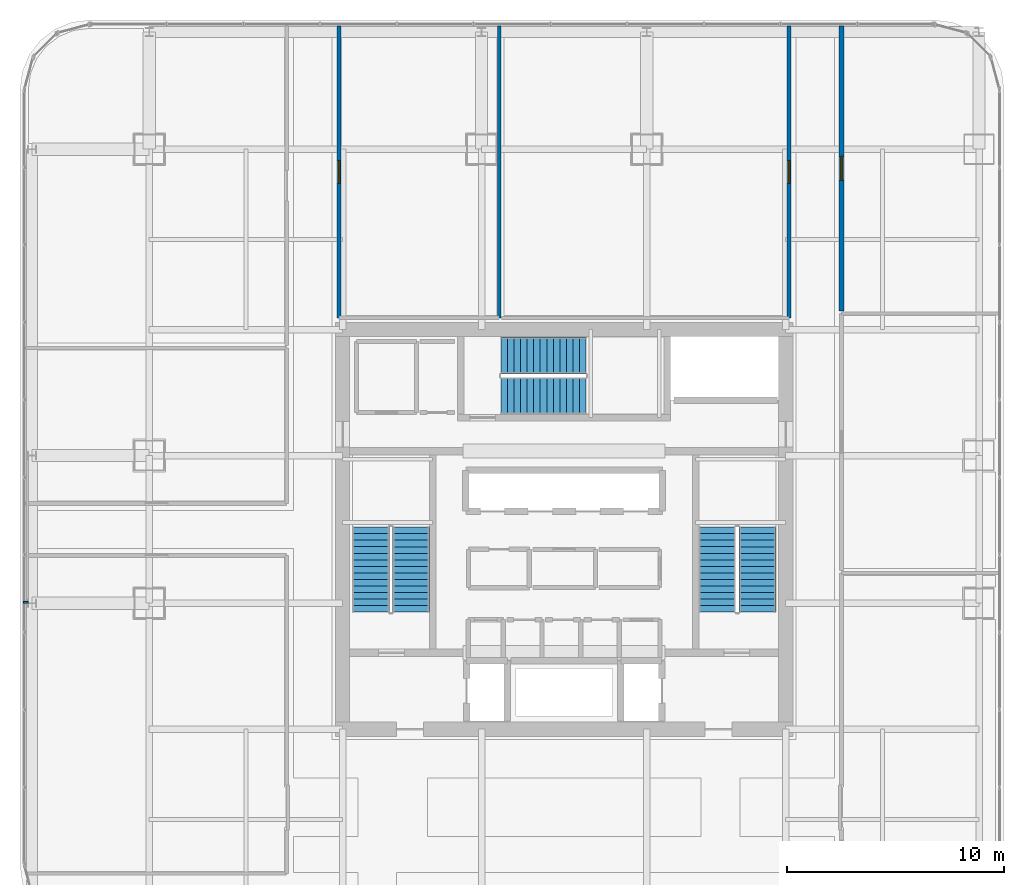
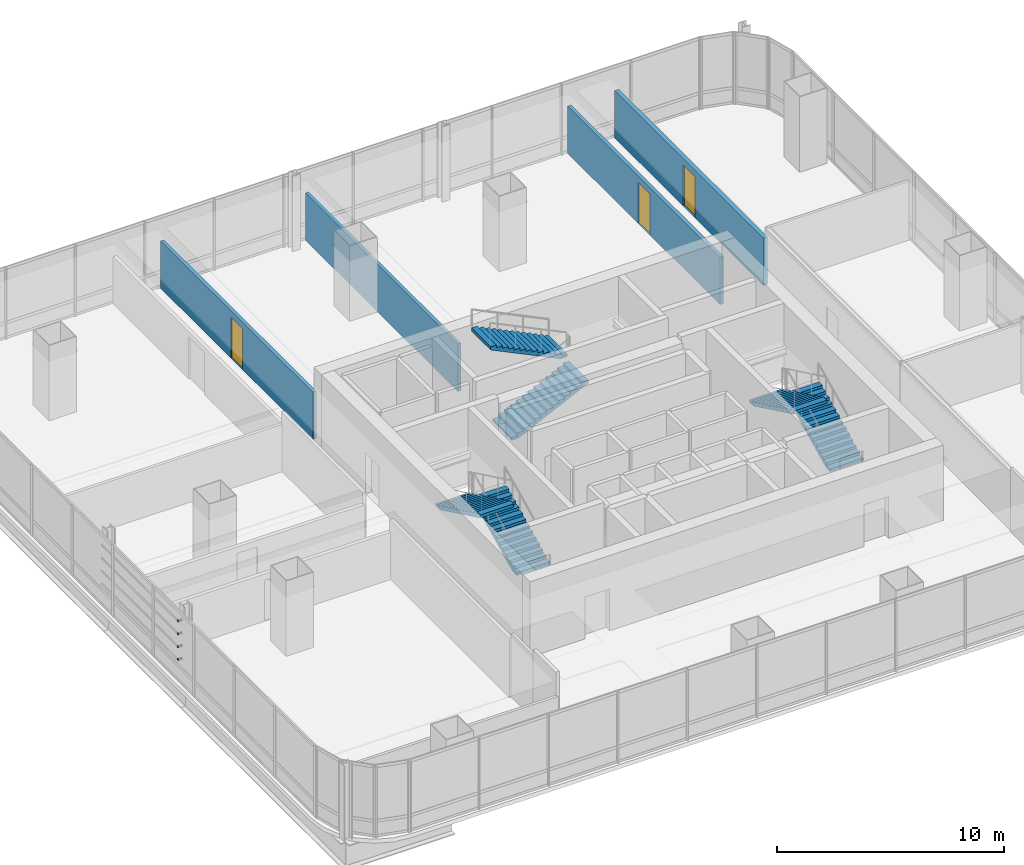
# One storey, part 32 of 38: 6 stair flights, 4 discrete accessories, 4 walls, 3 doors, 3 openings, 3 elements without a shape of their own.
"""IFC4 building model written with IfcOpenShell, lengths in metres."""

import ifcopenshell
import ifcopenshell.guid

model = None  # the IFC model being written
_history = None  # IfcOwnerHistory: only IFC2X3 demands one
_inside = {}  # id of a spatial element -> (the spatial element, [elements in it])
_under = {}  # id of a project, library or spatial element -> (it, [spatial elements below it])
_declared = {}  # id of a project -> (the project, [libraries it declares])
_typed = {}  # id of a type object -> (the type object, [elements of that type])
_made_of = {}  # id of a material, layer set ... -> (it, [elements and type objects made of it])


def new_model(schema):
    """Start an empty IFC model of exactly this schema.

    Asked for "IFC4X3", IfcOpenShell would pick the latest addendum, in which some entities
    have other attributes; the version numbers below select the first issue.
    IFC2X3 requires an IfcOwnerHistory on every rooted entity: one is made here for all.
    """
    global model, _history
    if schema == "IFC4X3":
        model = ifcopenshell.file(schema_version=(4, 3, 0, 0))
    else:
        model = ifcopenshell.file(schema=schema)
    _inside.clear()
    _under.clear()
    _declared.clear()
    _typed.clear()
    _made_of.clear()
    _history = None
    if model.schema == "IFC2X3":
        org = make("IfcOrganization", Name="unknown")
        user = make(
            "IfcPersonAndOrganization",
            ThePerson=make("IfcPerson", FamilyName="unknown"),
            TheOrganization=org,
        )
        app = make(
            "IfcApplication",
            ApplicationDeveloper=org,
            Version="unknown",
            ApplicationFullName="unknown",
            ApplicationIdentifier="unknown",
        )
        _history = make(
            "IfcOwnerHistory",
            OwningUser=user,
            OwningApplication=app,
            ChangeAction="ADDED",
            CreationDate=0,
        )
    return model


def make(cls, **values):
    """One entity of the class cls with the attributes given. An attribute that is None is left unset."""
    return model.create_entity(
        cls, **{name: value for name, value in values.items() if value is not None}
    )


def rooted(cls, **values):
    """An entity with a GlobalId (a new one), such as an element, a storey or a relation."""
    return make(cls, GlobalId=ifcopenshell.guid.new(), OwnerHistory=_history, **values)


def si_unit(unit_type, name, prefix=None):
    """IfcSIUnit, for example si_unit("LENGTHUNIT", "METRE", prefix="MILLI")."""
    return make("IfcSIUnit", UnitType=unit_type, Prefix=prefix, Name=name)


def assignment(units):
    """IfcUnitAssignment: the units of a project."""
    return None if units is None else make("IfcUnitAssignment", Units=units)


def point(xyz):
    """IfcCartesianPoint."""
    return None if xyz is None else make("IfcCartesianPoint", Coordinates=xyz)


def direction(xyz):
    """IfcDirection."""
    return None if xyz is None else make("IfcDirection", DirectionRatios=xyz)


def frame(location, z_axis=None, x_axis=None):
    """IfcAxis2Placement3D, a coordinate frame: its origin and axes. An axis left out is left unset."""
    return make(
        "IfcAxis2Placement3D",
        Location=point(location),
        Axis=direction(z_axis),
        RefDirection=direction(x_axis),
    )


def frame_2d(location, x_axis=None):
    """IfcAxis2Placement2D, a coordinate frame in the plane: its origin and x axis."""
    return make(
        "IfcAxis2Placement2D", Location=point(location), RefDirection=direction(x_axis)
    )


def origin():
    """The frame at (0, 0, 0) with its axes left unset."""
    return frame((0.0, 0.0, 0.0))


def origin_2d():
    """The frame at (0, 0) in the plane with its x axis left unset."""
    return frame_2d((0.0, 0.0))


def place(relative_to, where):
    """IfcLocalPlacement: puts the frame where relative to a parent placement (None: the world)."""
    return make(
        "IfcLocalPlacement", PlacementRelTo=relative_to, RelativePlacement=where
    )


def context(
    kind, dimensions, precision=None, world=None, true_north=None, identifier=None
):
    """IfcGeometricRepresentationContext, for example the 3D "Model" context."""
    return make(
        "IfcGeometricRepresentationContext",
        ContextIdentifier=identifier,
        ContextType=kind,
        CoordinateSpaceDimension=dimensions,
        Precision=precision,
        WorldCoordinateSystem=world,
        TrueNorth=true_north,
    )


def subcontext(parent, identifier, kind, view, scale=None):
    """IfcGeometricRepresentationSubContext, for example "Body" below "Model"."""
    return make(
        "IfcGeometricRepresentationSubContext",
        ContextIdentifier=identifier,
        ContextType=kind,
        ParentContext=parent,
        TargetScale=scale,
        TargetView=view,
    )


def project(units=None, contexts=None):
    """IfcProject with its units and contexts."""
    return rooted(
        "IfcProject",
        Name="project",
        RepresentationContexts=contexts,
        UnitsInContext=assignment(units),
    )


def spatial(cls, under=None, at=None, **own):
    """A site, building, storey or space (cls), placed at a placement, below another one or the project."""
    s = rooted(cls, ObjectPlacement=at, **own)
    if under is not None:
        _under.setdefault(under.id(), (under, []))[1].append(s)
    return s


def polyline(points):
    """IfcPolyline through the points."""
    return make("IfcPolyline", Points=[point(p) for p in points])


def profile(cls, at=None, kind="AREA", **sizes):
    """A parametric profile (cls). Its sizes go by their IFC names, for example OverallWidth=200.0."""
    return make(cls, ProfileType=kind, Position=at, **sizes)


def rectangle(**sizes):
    """IfcRectangleProfileDef."""
    return profile("IfcRectangleProfileDef", **sizes)


def outline(outer, holes=None, kind="AREA"):
    """IfcArbitraryClosedProfileDef: a profile drawn as a closed curve; with holes, ...WithVoids."""
    if holes is None:
        return make("IfcArbitraryClosedProfileDef", ProfileType=kind, OuterCurve=outer)
    return make(
        "IfcArbitraryProfileDefWithVoids",
        ProfileType=kind,
        OuterCurve=outer,
        InnerCurves=holes,
    )


def extrude(swept, where, along, depth):
    """IfcExtrudedAreaSolid: the profile swept, set in the frame where, extruded along a direction by depth."""
    return make(
        "IfcExtrudedAreaSolid",
        SweptArea=swept,
        Position=where,
        ExtrudedDirection=direction(along),
        Depth=depth,
    )


def shape(context_of_items, identifier, shape_type, items):
    """IfcShapeRepresentation: the items that make up one representation, for example the "Body"."""
    return make(
        "IfcShapeRepresentation",
        ContextOfItems=context_of_items,
        RepresentationIdentifier=identifier,
        RepresentationType=shape_type,
        Items=items,
    )


def material(Name=None, Category=None):
    """IfcMaterial."""
    return make("IfcMaterial", Name=Name, Category=Category)


def layer(
    of_material, thickness, ventilated=None, Name=None, Category=None, Priority=None
):
    """IfcMaterialLayer: one layer of a wall or slab, of a material (None: an air gap)."""
    return make(
        "IfcMaterialLayer",
        Material=of_material,
        LayerThickness=thickness,
        IsVentilated=ventilated,
        Name=Name,
        Category=Category,
        Priority=Priority,
    )


def layer_set(layers, Name=None):
    """IfcMaterialLayerSet."""
    return make("IfcMaterialLayerSet", MaterialLayers=layers, LayerSetName=Name)


def made_of(thing, what):
    """Note that an element or type object is made of a material, layer set ...; save() writes the relation."""
    if what is not None:
        _made_of.setdefault(what.id(), (what, []))[1].append(thing)
    return thing


def type_object(cls, material=None, **own):
    """A type object (cls), such as IfcWallType, which elements share."""
    return made_of(rooted(cls, **own), material)


def element(
    cls,
    number,
    at=None,
    inside=None,
    cuts=None,
    type_object=None,
    material=None,
    context=None,
    identifier="Body",
    shape_type=None,
    held_by="IfcProductDefinitionShape",
    body=None,
    shapes=None,
    **own,
):
    """One element of the class cls, such as IfcWall. Its Tag is "e" and its number.

    at: its placement. inside: the storey or other place that contains it. cuts: it is an
    opening in that element (IfcRelVoidsElement). A single representation is given by context,
    identifier, shape_type and body (its items); several are given by shapes. held_by: the class
    of the entity that holds the representations. save() writes the other relations.
    """
    e = rooted(cls, Tag="e%d" % number, ObjectPlacement=at, **own)
    if body is not None:
        shapes = [shape(context, identifier, shape_type, body)]
    if shapes is not None:
        e.Representation = make(held_by, Representations=shapes)
    if inside is not None:
        _inside.setdefault(inside.id(), (inside, []))[1].append(e)
    if cuts is not None:
        rooted(
            "IfcRelVoidsElement", RelatingBuildingElement=cuts, RelatedOpeningElement=e
        )
    if type_object is not None:
        _typed.setdefault(type_object.id(), (type_object, []))[1].append(e)
    return made_of(e, material)


def fill(opening, filler):
    """IfcRelFillsElement: the door or window that sits in an opening."""
    return rooted(
        "IfcRelFillsElement",
        RelatingOpeningElement=opening,
        RelatedBuildingElement=filler,
    )


def aggregate(whole, parts):
    """IfcRelAggregates: a whole, such as a stair, and the parts it consists of."""
    return rooted("IfcRelAggregates", RelatingObject=whole, RelatedObjects=parts)


def save(model, path):
    """Write the relations noted so far, then the file.

    IfcRelAggregates (storeys below a building ...), IfcRelContainedInSpatialStructure (elements
    in a storey), IfcRelDefinesByType, IfcRelAssociatesMaterial and IfcRelDeclares: one each for
    every whole, place, type object, material and project.
    """
    for whole, parts in _under.values():
        aggregate(whole, parts)
    for where, things in _inside.values():
        rooted(
            "IfcRelContainedInSpatialStructure",
            RelatedElements=things,
            RelatingStructure=where,
        )
    for kind, things in _typed.values():
        rooted("IfcRelDefinesByType", RelatedObjects=things, RelatingType=kind)
    for what, things in _made_of.values():
        rooted("IfcRelAssociatesMaterial", RelatedObjects=things, RelatingMaterial=what)
    for by, libraries in _declared.values():
        rooted("IfcRelDeclares", RelatingContext=by, RelatedDefinitions=libraries)
    model.write(path)


model = new_model("IFC4")

# Units and contexts
model_context = context("Model", 3, precision=1e-05, world=origin(), true_north=direction((0.0, 1.0)))
body_context = subcontext(model_context, "Body", "Model", "MODEL_VIEW")
ifc_project = project(units=[si_unit("LENGTHUNIT", "METRE"), si_unit("AREAUNIT", "SQUARE_METRE"), si_unit("VOLUMEUNIT", "CUBIC_METRE"), si_unit("PLANEANGLEUNIT", "RADIAN"), si_unit("MASSUNIT", "GRAM", prefix="KILO")], contexts=[model_context])

# Site, building, storey
site_placement = place(None, origin())
site = spatial("IfcSite", under=ifc_project, at=site_placement, CompositionType="ELEMENT")
building_placement = place(site_placement, origin())
building = spatial("IfcBuilding", under=site, at=building_placement, Name="Punatoya Terracotta Tower", CompositionType="ELEMENT")
storey_placement = place(building_placement, frame((0.0, 0.0, 151.949951171875)))
storey = spatial("IfcBuildingStorey", under=building, at=storey_placement, Name="L35", CompositionType="ELEMENT", Elevation=151.949951171875)

# Wall, opening, door
ifc_material_1 = material(Name="Gypsum Fireboard + Steel Stud", Category="steel")
ifc_layer_1 = layer(ifc_material_1, 0.179931640625)
ifc_layer_set_1 = layer_set([ifc_layer_1], Name="Gypsum Fireboard + Steel Stud")
wall_type_1 = type_object("IfcWallType", Name="WL-CORR-180", PredefinedType="PARTITIONING", material=ifc_layer_set_1)
wall_1_placement = place(storey_placement, frame((-10.360107421875, 9.739990234375, 0.0), z_axis=(0.0, 0.0, 1.0), x_axis=(0.0, 1.0, 0.0)))
wall_1 = element("IfcWall", 1, at=wall_1_placement, inside=storey, type_object=wall_type_1, Name="L35 Open-Plan Laboratory Staff Pantry Partition 46", PredefinedType="PARTITIONING", context=body_context, shape_type="SweptSolid", body=[
    extrude(rectangle(XDim=13.429931640625, YDim=0.179931640625, at=frame_2d((6.71484375, 0.0))), origin(), (0.0, 0.0, 1.0), 2.5439453125),
])
opening_1_placement = place(wall_1_placement, frame((6.18994140625, 0.0, 0.0)))
opening_1 = element("IfcOpeningElement", 2, at=opening_1_placement, cuts=wall_1, Name="Opening OD-01", PredefinedType="OPENING", context=body_context, shape_type="SweptSolid", body=[
    extrude(rectangle(XDim=1.050048828125, YDim=2.199951171875, at=frame_2d((0.52490234375, 1.10009765625))), frame((0.0, 0.099853515625, 0.0), z_axis=(0.0, -1.0, 0.0), x_axis=(1.0, 0.0, 0.0)), (0.0, 0.0, 1.0), 0.199951171875),
])
ifc_material_2 = material(Name="Bengal Teak Solid-Core Leaf")
door_type_1 = type_object("IfcDoorType", Name="DR-OFF-1050", OperationType="NOTDEFINED", PredefinedType="DOOR", material=ifc_material_2)
door_1_placement = place(opening_1_placement, origin())
door_1 = element("IfcDoor", 3, at=door_1_placement, inside=storey, type_object=door_type_1, Name="L35 Open-Plan Laboratory Staff Pantry Door", OperationType="SINGLE_SWING_RIGHT", OverallHeight=2.199951171875, OverallWidth=1.050048828125, PredefinedType="DOOR", context=body_context, shape_type="SweptSolid", body=[
    extrude(rectangle(XDim=1.050048828125, YDim=2.199951171875, at=frame_2d((0.52490234375, 1.10009765625))), frame((0.0, 0.02490234375, 0.0), z_axis=(0.0, -1.0, 0.0), x_axis=(1.0, 0.0, 0.0)), (0.0, 0.0, 1.0), 0.050048828125),
])
fill(opening_1, door_1)

wall_2_placement = place(storey_placement, frame((10.360107421875, 23.169921875, 0.0), z_axis=(0.0, 0.0, 1.0), x_axis=(0.0, -1.0, 0.0)))
wall_2 = element("IfcWall", 4, at=wall_2_placement, inside=storey, type_object=wall_type_1, Name="L35 Wellness Rest Room Partition 48", PredefinedType="PARTITIONING", context=body_context, shape_type="SweptSolid", body=[
    extrude(rectangle(XDim=13.429931640625, YDim=0.179931640625, at=frame_2d((6.71484375, 0.0))), origin(), (0.0, 0.0, 1.0), 2.5439453125),
])
opening_2_placement = place(wall_2_placement, frame((6.18994140625, 0.0, 0.0)))
opening_2 = element("IfcOpeningElement", 5, at=opening_2_placement, cuts=wall_2, Name="Opening OD-01", PredefinedType="OPENING", context=body_context, shape_type="SweptSolid", body=[
    extrude(rectangle(XDim=1.050048828125, YDim=2.199951171875, at=frame_2d((0.52490234375, 1.10009765625))), frame((0.0, 0.099853515625, 0.0), z_axis=(0.0, -1.0, 0.0), x_axis=(1.0, 0.0, 0.0)), (0.0, 0.0, 1.0), 0.199951171875),
])
door_2_placement = place(opening_2_placement, origin())
door_2 = element("IfcDoor", 6, at=door_2_placement, inside=storey, type_object=door_type_1, Name="L35 Wellness Rest Room Door", OperationType="SINGLE_SWING_LEFT", OverallHeight=2.199951171875, OverallWidth=1.050048828125, PredefinedType="DOOR", context=body_context, shape_type="SweptSolid", body=[
    extrude(rectangle(XDim=1.050048828125, YDim=2.199951171875, at=frame_2d((0.52490234375, 1.10009765625))), frame((0.0, 0.02490234375, 0.0), z_axis=(0.0, -1.0, 0.0), x_axis=(1.0, 0.0, 0.0)), (0.0, 0.0, 1.0), 0.050048828125),
])
fill(opening_2, door_2)

ifc_material_3 = material(Name="Concrete C40/50", Category="concrete")
ifc_layer_2 = layer(ifc_material_3, 0.219970703125)
ifc_layer_set_2 = layer_set([ifc_layer_2], Name="Concrete C40/50")
wall_type_2 = type_object("IfcWallType", Name="WL-FIR-220", PredefinedType="SOLIDWALL", material=ifc_layer_set_2)
wall_3_placement = place(storey_placement, frame((12.77001953125, 10.06201171875, 0.0), z_axis=(0.0, 0.0, 1.0), x_axis=(0.0, 1.0, 0.0)))
wall_3 = element("IfcWall", 7, at=wall_3_placement, inside=storey, type_object=wall_type_2, Name="L35 Open-Plan Geospatial Data Archive Partition 49", PredefinedType="SOLIDWALL", context=body_context, shape_type="SweptSolid", body=[
    extrude(rectangle(XDim=13.10791015625, YDim=0.219970703125, at=frame_2d((6.553955078125, 0.0))), origin(), (0.0, 0.0, 1.0), 2.5439453125),
])
opening_3_placement = place(wall_3_placement, frame((6.00390625, 0.0, 0.0)))
opening_3 = element("IfcOpeningElement", 8, at=opening_3_placement, cuts=wall_3, Name="Opening FD-P1", PredefinedType="OPENING", context=body_context, shape_type="SweptSolid", body=[
    extrude(rectangle(XDim=1.10009765625, YDim=2.199951171875, at=frame_2d((0.550048828125, 1.10009765625))), frame((0.0, 0.119873046875, 0.0), z_axis=(0.0, -1.0, 0.0), x_axis=(1.0, 0.0, 0.0)), (0.0, 0.0, 1.0), 0.239990234375),
])
ifc_material_4 = material(Name="Galvanised Steel Plant Fire Door", Category="steel")
door_type_2 = type_object("IfcDoorType", Name="DR-PLT-1100", OperationType="NOTDEFINED", PredefinedType="DOOR", material=ifc_material_4)
door_3_placement = place(opening_3_placement, origin())
door_3 = element("IfcDoor", 9, at=door_3_placement, inside=storey, type_object=door_type_2, Name="L35 Open-Plan Geospatial Data Archive Fire Door", OperationType="SINGLE_SWING_RIGHT", OverallHeight=2.199951171875, OverallWidth=1.10009765625, PredefinedType="DOOR", context=body_context, shape_type="SweptSolid", body=[
    extrude(rectangle(XDim=1.10009765625, YDim=2.199951171875, at=frame_2d((0.550048828125, 1.10009765625))), frame((0.0, 0.02490234375, 0.0), z_axis=(0.0, -1.0, 0.0), x_axis=(1.0, 0.0, 0.0)), (0.0, 0.0, 1.0), 0.050048828125),
])
fill(opening_3, door_3)

# Wall
ifc_material_5 = material(Name="Masonry Blockwork + Ceramic Tile", Category="masonry")
ifc_layer_3 = layer(ifc_material_5, 0.159912109375)
ifc_layer_set_3 = layer_set([ifc_layer_3], Name="Masonry Blockwork + Ceramic Tile")
wall_type_3 = type_object("IfcWallType", Name="WL-WET-160", PredefinedType="PARTITIONING", material=ifc_layer_set_3)
wall_4_placement = place(storey_placement, frame((-2.993896484375, 23.169921875, 0.0), z_axis=(0.0, 0.0, 1.0), x_axis=(0.0, -1.0, 0.0)))
element("IfcWall", 10, at=wall_4_placement, inside=storey, type_object=wall_type_3, Name="L35 Open-Plan Laboratory Staff Pantry Partition 44", PredefinedType="PARTITIONING", context=body_context, shape_type="SweptSolid", body=[
    extrude(rectangle(XDim=13.429931640625, YDim=0.159912109375, at=frame_2d((6.71484375, 0.0))), origin(), (0.0, 0.0, 1.0), 2.5439453125),
])

# Stair, stair flights
stair_type_1 = type_object("IfcStairType", Name="STR-CORE-1550", PredefinedType="HALF_TURN_STAIR", material=ifc_material_3)
stair_1_placement = place(storey_placement, origin())
stair_1 = element("IfcStair", 11, at=stair_1_placement, inside=storey, type_object=stair_type_1, Name="L35 Protected Core Exit Stair ST-1", PredefinedType="HALF_TURN_STAIR")
stair_flight_type_1 = type_object("IfcStairFlightType", Name="SFL-CORE-1550", PredefinedType="STRAIGHT", material=ifc_material_3)
stair_flight_1_placement = place(storey_placement, frame((-7.050048828125, -3.800048828125, 0.0), z_axis=(0.0, 0.0, 1.0), x_axis=(0.0, 1.0, 0.0)))
stair_flight_1 = element("IfcStairFlight", 12, at=stair_flight_1_placement, type_object=stair_flight_type_1, Name="ST-1 flight 1", NumberOfRisers=14, NumberOfTreads=13, PredefinedType="STRAIGHT", RiserHeight=0.144642857, TreadLength=0.3, context=body_context, shape_type="SweptSolid", body=[
    extrude(outline(polyline([(0.0, 0.0), (0.0, 0.14453125), (0.300048828125, 0.14453125), (0.300048828125, 0.289306640625), (0.60009765625, 0.289306640625), (0.60009765625, 0.433837890625), (0.89990234375, 0.433837890625), (0.89990234375, 0.57861328125), (1.199951171875, 0.57861328125), (1.199951171875, 0.72314453125), (1.5, 0.72314453125), (1.5, 0.867919921875), (1.800048828125, 0.867919921875), (1.800048828125, 1.012451171875), (2.10009765625, 1.012451171875), (2.10009765625, 1.1572265625), (2.39990234375, 1.1572265625), (2.39990234375, 1.3017578125), (2.699951171875, 1.3017578125), (2.699951171875, 1.446533203125), (3.0, 1.446533203125), (3.0, 1.591064453125), (3.300048828125, 1.591064453125), (3.300048828125, 1.735595703125), (3.60009765625, 1.735595703125), (3.60009765625, 1.88037109375), (3.89990234375, 1.88037109375), (3.89990234375, 2.02490234375), (3.89990234375, 1.7138671875), (0.34521484375, 0.0), (0.0, 0.0)])), frame((0.0, 0.85009765625, 0.0), z_axis=(0.0, -1.0, 0.0), x_axis=(1.0, 0.0, 0.0)), (0.0, 0.0, 1.0), 1.699951171875),
])
stair_flight_2_placement = place(storey_placement, frame((-8.89990234375, 0.10009765625, 2.025146484375), z_axis=(0.0, 0.0, 1.0), x_axis=(0.0, -1.0, 0.0)))
stair_flight_2 = element("IfcStairFlight", 13, at=stair_flight_2_placement, type_object=stair_flight_type_1, Name="ST-1 flight 2", NumberOfRisers=14, NumberOfTreads=13, PredefinedType="STRAIGHT", RiserHeight=0.144642857, TreadLength=0.3, context=body_context, shape_type="SweptSolid", body=[
    extrude(outline(polyline([(0.0, 0.0), (0.0, 0.14453125), (0.300048828125, 0.14453125), (0.300048828125, 0.289306640625), (0.60009765625, 0.289306640625), (0.60009765625, 0.433837890625), (0.89990234375, 0.433837890625), (0.89990234375, 0.57861328125), (1.199951171875, 0.57861328125), (1.199951171875, 0.72314453125), (1.5, 0.72314453125), (1.5, 0.867919921875), (1.800048828125, 0.867919921875), (1.800048828125, 1.012451171875), (2.10009765625, 1.012451171875), (2.10009765625, 1.1572265625), (2.39990234375, 1.1572265625), (2.39990234375, 1.3017578125), (2.699951171875, 1.3017578125), (2.699951171875, 1.446533203125), (3.0, 1.446533203125), (3.0, 1.591064453125), (3.300048828125, 1.591064453125), (3.300048828125, 1.735595703125), (3.60009765625, 1.735595703125), (3.60009765625, 1.88037109375), (3.89990234375, 1.88037109375), (3.89990234375, 2.02490234375), (3.89990234375, 1.7138671875), (0.34521484375, 0.0), (0.0, 0.0)])), frame((0.0, 0.85009765625, 0.0), z_axis=(0.0, -1.0, 0.0), x_axis=(1.0, 0.0, 0.0)), (0.0, 0.0, 1.0), 1.699951171875),
])
aggregate(stair_1, [stair_flight_1, stair_flight_2])

stair_type_2 = type_object("IfcStairType", Name="STR-LOB-1650", PredefinedType="HALF_TURN_STAIR", material=ifc_material_3)
stair_2_placement = place(storey_placement, origin())
stair_2 = element("IfcStair", 14, at=stair_2_placement, inside=storey, type_object=stair_type_2, Name="L35 Protected Core Exit Stair ST-2", PredefinedType="HALF_TURN_STAIR")
stair_flight_type_2 = type_object("IfcStairFlightType", Name="SFL-LOB-1650", PredefinedType="STRAIGHT", material=ifc_material_3)
stair_flight_3_placement = place(storey_placement, frame((8.89990234375, -3.800048828125, 0.0), z_axis=(0.0, 0.0, 1.0), x_axis=(0.0, 1.0, 0.0)))
stair_flight_3 = element("IfcStairFlight", 15, at=stair_flight_3_placement, type_object=stair_flight_type_2, Name="ST-2 flight 1", NumberOfRisers=14, NumberOfTreads=13, PredefinedType="STRAIGHT", RiserHeight=0.144642857, TreadLength=0.3, context=body_context, shape_type="SweptSolid", body=[
    extrude(outline(polyline([(0.0, 0.0), (0.0, 0.14453125), (0.300048828125, 0.14453125), (0.300048828125, 0.289306640625), (0.60009765625, 0.289306640625), (0.60009765625, 0.433837890625), (0.89990234375, 0.433837890625), (0.89990234375, 0.57861328125), (1.199951171875, 0.57861328125), (1.199951171875, 0.72314453125), (1.5, 0.72314453125), (1.5, 0.867919921875), (1.800048828125, 0.867919921875), (1.800048828125, 1.012451171875), (2.10009765625, 1.012451171875), (2.10009765625, 1.1572265625), (2.39990234375, 1.1572265625), (2.39990234375, 1.3017578125), (2.699951171875, 1.3017578125), (2.699951171875, 1.446533203125), (3.0, 1.446533203125), (3.0, 1.591064453125), (3.300048828125, 1.591064453125), (3.300048828125, 1.735595703125), (3.60009765625, 1.735595703125), (3.60009765625, 1.88037109375), (3.89990234375, 1.88037109375), (3.89990234375, 2.02490234375), (3.89990234375, 1.7138671875), (0.34521484375, 0.0), (0.0, 0.0)])), frame((0.0, 0.85009765625, 0.0), z_axis=(0.0, -1.0, 0.0), x_axis=(1.0, 0.0, 0.0)), (0.0, 0.0, 1.0), 1.699951171875),
])
stair_flight_4_placement = place(storey_placement, frame((7.050048828125, 0.10009765625, 2.025146484375), z_axis=(0.0, 0.0, 1.0), x_axis=(0.0, -1.0, 0.0)))
stair_flight_4 = element("IfcStairFlight", 16, at=stair_flight_4_placement, type_object=stair_flight_type_2, Name="ST-2 flight 2", NumberOfRisers=14, NumberOfTreads=13, PredefinedType="STRAIGHT", RiserHeight=0.144642857, TreadLength=0.3, context=body_context, shape_type="SweptSolid", body=[
    extrude(outline(polyline([(0.0, 0.0), (0.0, 0.14453125), (0.300048828125, 0.14453125), (0.300048828125, 0.289306640625), (0.60009765625, 0.289306640625), (0.60009765625, 0.433837890625), (0.89990234375, 0.433837890625), (0.89990234375, 0.57861328125), (1.199951171875, 0.57861328125), (1.199951171875, 0.72314453125), (1.5, 0.72314453125), (1.5, 0.867919921875), (1.800048828125, 0.867919921875), (1.800048828125, 1.012451171875), (2.10009765625, 1.012451171875), (2.10009765625, 1.1572265625), (2.39990234375, 1.1572265625), (2.39990234375, 1.3017578125), (2.699951171875, 1.3017578125), (2.699951171875, 1.446533203125), (3.0, 1.446533203125), (3.0, 1.591064453125), (3.300048828125, 1.591064453125), (3.300048828125, 1.735595703125), (3.60009765625, 1.735595703125), (3.60009765625, 1.88037109375), (3.89990234375, 1.88037109375), (3.89990234375, 2.02490234375), (3.89990234375, 1.7138671875), (0.34521484375, 0.0), (0.0, 0.0)])), frame((0.0, 0.85009765625, 0.0), z_axis=(0.0, -1.0, 0.0), x_axis=(1.0, 0.0, 0.0)), (0.0, 0.0, 1.0), 1.699951171875),
])
aggregate(stair_2, [stair_flight_3, stair_flight_4])

stair_type_3 = type_object("IfcStairType", Name="STR-TER-1450", PredefinedType="HALF_TURN_STAIR", material=ifc_material_3)
stair_3_placement = place(storey_placement, origin())
stair_3 = element("IfcStair", 17, at=stair_3_placement, inside=storey, type_object=stair_type_3, Name="L35 Protected Core Exit Stair ST-3", PredefinedType="HALF_TURN_STAIR")
stair_flight_type_3 = type_object("IfcStairFlightType", Name="SFL-TER-1450", PredefinedType="STRAIGHT", material=ifc_material_3)
stair_flight_5_placement = place(storey_placement, frame((-2.89990234375, 6.14990234375, 0.0), z_axis=(0.0, 0.0, 1.0), x_axis=(1.0, 0.0, 0.0)))
stair_flight_5 = element("IfcStairFlight", 18, at=stair_flight_5_placement, type_object=stair_flight_type_3, Name="ST-3 flight 1", NumberOfRisers=14, NumberOfTreads=13, PredefinedType="STRAIGHT", RiserHeight=0.144642857, TreadLength=0.3, context=body_context, shape_type="SweptSolid", body=[
    extrude(outline(polyline([(0.0, 0.0), (0.0, 0.14453125), (0.300048828125, 0.14453125), (0.300048828125, 0.289306640625), (0.60009765625, 0.289306640625), (0.60009765625, 0.433837890625), (0.89990234375, 0.433837890625), (0.89990234375, 0.57861328125), (1.199951171875, 0.57861328125), (1.199951171875, 0.72314453125), (1.5, 0.72314453125), (1.5, 0.867919921875), (1.800048828125, 0.867919921875), (1.800048828125, 1.012451171875), (2.10009765625, 1.012451171875), (2.10009765625, 1.1572265625), (2.39990234375, 1.1572265625), (2.39990234375, 1.3017578125), (2.699951171875, 1.3017578125), (2.699951171875, 1.446533203125), (3.0, 1.446533203125), (3.0, 1.591064453125), (3.300048828125, 1.591064453125), (3.300048828125, 1.735595703125), (3.60009765625, 1.735595703125), (3.60009765625, 1.88037109375), (3.89990234375, 1.88037109375), (3.89990234375, 2.02490234375), (3.89990234375, 1.7138671875), (0.34521484375, 0.0), (0.0, 0.0)])), frame((0.0, 0.85009765625, 0.0), z_axis=(0.0, -1.0, 0.0), x_axis=(1.0, 0.0, 0.0)), (0.0, 0.0, 1.0), 1.699951171875),
])
stair_flight_6_placement = place(storey_placement, frame((1.0, 8.0, 2.025146484375), z_axis=(0.0, 0.0, 1.0), x_axis=(-1.0, 0.0, 0.0)))
stair_flight_6 = element("IfcStairFlight", 19, at=stair_flight_6_placement, type_object=stair_flight_type_3, Name="ST-3 flight 2", NumberOfRisers=14, NumberOfTreads=13, PredefinedType="STRAIGHT", RiserHeight=0.144642857, TreadLength=0.3, context=body_context, shape_type="SweptSolid", body=[
    extrude(outline(polyline([(0.0, 0.0), (0.0, 0.14453125), (0.300048828125, 0.14453125), (0.300048828125, 0.289306640625), (0.60009765625, 0.289306640625), (0.60009765625, 0.433837890625), (0.89990234375, 0.433837890625), (0.89990234375, 0.57861328125), (1.199951171875, 0.57861328125), (1.199951171875, 0.72314453125), (1.5, 0.72314453125), (1.5, 0.867919921875), (1.800048828125, 0.867919921875), (1.800048828125, 1.012451171875), (2.10009765625, 1.012451171875), (2.10009765625, 1.1572265625), (2.39990234375, 1.1572265625), (2.39990234375, 1.3017578125), (2.699951171875, 1.3017578125), (2.699951171875, 1.446533203125), (3.0, 1.446533203125), (3.0, 1.591064453125), (3.300048828125, 1.591064453125), (3.300048828125, 1.735595703125), (3.60009765625, 1.735595703125), (3.60009765625, 1.88037109375), (3.89990234375, 1.88037109375), (3.89990234375, 2.02490234375), (3.89990234375, 1.7138671875), (0.34521484375, 0.0), (0.0, 0.0)])), frame((0.0, 0.85009765625, 0.0), z_axis=(0.0, -1.0, 0.0), x_axis=(1.0, 0.0, 0.0)), (0.0, 0.0, 1.0), 1.699951171875),
])
aggregate(stair_3, [stair_flight_5, stair_flight_6])

# Discrete accessories
ifc_material_6 = material(Name="Steel S355", Category="steel")
discrete_accessory_type = type_object("IfcDiscreteAccessoryType", Name="ACC-BRK-220", PredefinedType="BRACKET", material=ifc_material_6)
for number, where, z_axis, x_axis, name in (
    (20, (-24.782470703125, -3.35009765625, 1.10009765625), (0.0, 0.0, 1.0), (0.0, 1.0, 0.0), "L35 Baguette Louvre Column Bracket BAG-L35-W-01"),
    (21, (-24.782470703125, -3.35009765625, 1.793212890625), (0.0, 0.0, 1.0), (0.0, 1.0, 0.0), "L35 Baguette Louvre Column Bracket BAG-L35-W-02"),
    (22, (-24.782470703125, -3.35009765625, 2.48681640625), (0.0, 0.0, 1.0), (0.0, 1.0, 0.0), "L35 Baguette Louvre Column Bracket BAG-L35-W-03"),
    (23, (-24.782470703125, -3.35009765625, 3.179931640625), (0.0, 0.0, 1.0), (0.0, 1.0, 0.0), "L35 Baguette Louvre Column Bracket BAG-L35-W-04"),
):
    element("IfcDiscreteAccessory", number, at=place(storey_placement, frame(where, z_axis=z_axis, x_axis=x_axis)), inside=storey, type_object=discrete_accessory_type, Name=name, PredefinedType="BRACKET", context=body_context, shape_type="SweptSolid", body=[
        extrude(rectangle(XDim=0.090087890625, YDim=0.219970703125, at=origin_2d()), origin(), (0.0, 0.0, 1.0), 0.10009765625),
    ])

save(model, "model.ifc")
